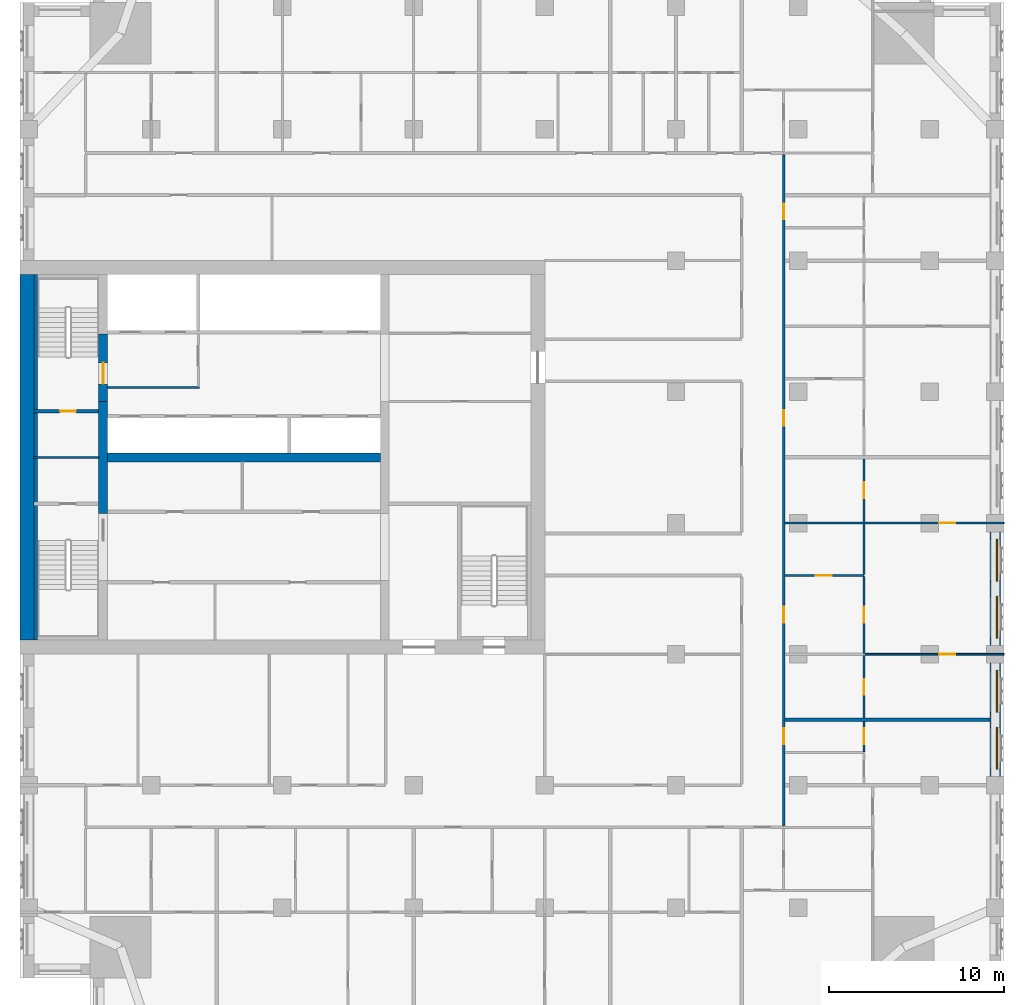
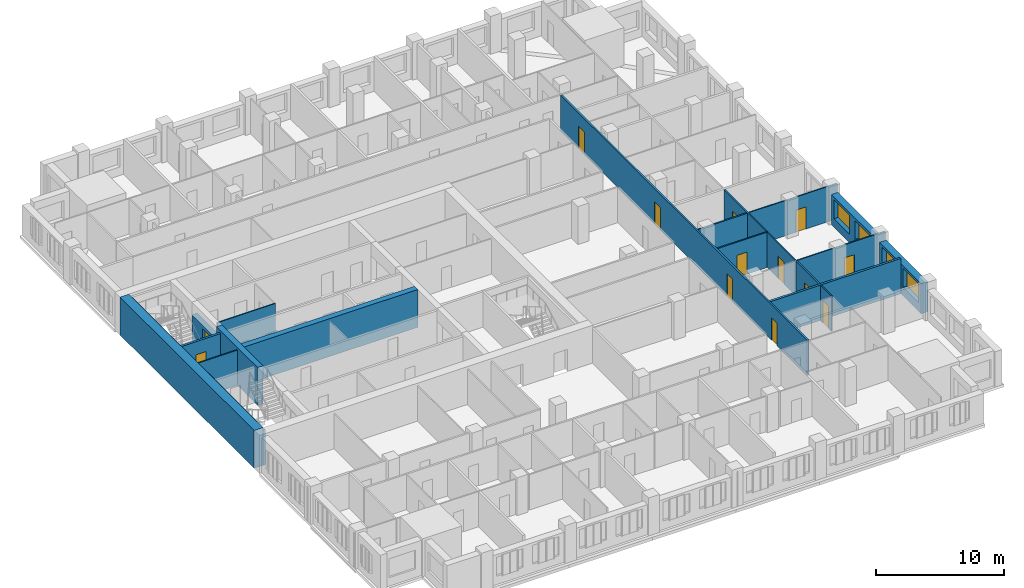
# One storey, part 7 of 14: 20 walls, 13 doors, 4 windows, 17 openings.
"""IFC4 building model written with IfcOpenShell, lengths in metres."""

from ifc_helpers import new_model, si_unit, direction, frame, frame_2d, origin, place, context, subcontext, project, spatial, rectangle, extrude, material, layer, layer_set, type_object, element, fill, save


model = new_model("IFC4")

# Units and contexts
model_context = context("Model", 3, precision=1e-05, world=origin(), true_north=direction((0.0, 1.0)))
body_context = subcontext(model_context, "Body", "Model", "MODEL_VIEW")
ifc_project = project(units=[si_unit("LENGTHUNIT", "METRE"), si_unit("AREAUNIT", "SQUARE_METRE"), si_unit("VOLUMEUNIT", "CUBIC_METRE"), si_unit("PLANEANGLEUNIT", "RADIAN"), si_unit("MASSUNIT", "GRAM", prefix="KILO")], contexts=[model_context])

# Site, building, storey
site_placement = place(None, origin())
site = spatial("IfcSite", under=ifc_project, at=site_placement, CompositionType="ELEMENT")
building_placement = place(site_placement, origin())
building = spatial("IfcBuilding", under=site, at=building_placement, Name="Tamorin Gate", CompositionType="ELEMENT")
storey_placement = place(building_placement, frame((0.0, 0.0, 137.39990234375)))
storey = spatial("IfcBuildingStorey", under=building, at=storey_placement, Name="L33", CompositionType="ELEMENT", Elevation=137.39990234375)

# Wall, openings, windows
ifc_material_1 = material(Name="Precast concrete C40/50", Category="concrete")
ifc_layer_1 = layer(ifc_material_1, 0.60009765625)
ifc_layer_set_1 = layer_set([ifc_layer_1], Name="Precast concrete C40/50")
wall_type_1 = type_object("IfcWallType", Name="Board-marked concrete facade panel 600", PredefinedType="SOLIDWALL", material=ifc_layer_set_1)
wall_1_placement = place(storey_placement, frame((85.75, 53.0, 0.0), z_axis=(0.0, 0.0, 1.0), x_axis=(0.0, 1.0, 0.0)))
wall_1 = element("IfcWall", 1, at=wall_1_placement, inside=storey, type_object=wall_type_1, Name="Facade panel", PredefinedType="SOLIDWALL", context=body_context, shape_type="SweptSolid", body=[
    extrude(rectangle(XDim=6.5, YDim=0.60009765625, at=frame_2d((3.25, 0.0))), origin(), (0.0, 0.0, 1.0), 2.85009765625),
])
opening_1_placement = place(wall_1_placement, frame((0.425048828125, 0.0, 0.800048828125)))
opening_1 = element("IfcOpeningElement", 2, at=opening_1_placement, cuts=wall_1, Name="Opening WN1", PredefinedType="OPENING", context=body_context, shape_type="SweptSolid", body=[
    extrude(rectangle(XDim=2.39990234375, YDim=1.800048828125, at=frame_2d((1.199951171875, 0.89990234375))), frame((0.0, 0.31005859375, 0.0), z_axis=(0.0, -1.0, 0.0), x_axis=(1.0, 0.0, 0.0)), (0.0, 0.0, 1.0), 0.6201171875),
])
opening_2_placement = place(wall_1_placement, frame((3.675048828125, 0.0, 0.800048828125)))
opening_2 = element("IfcOpeningElement", 3, at=opening_2_placement, cuts=wall_1, Name="Opening WN1", PredefinedType="OPENING", context=body_context, shape_type="SweptSolid", body=[
    extrude(rectangle(XDim=2.39990234375, YDim=1.800048828125, at=frame_2d((1.199951171875, 0.89990234375))), frame((0.0, 0.31005859375, 0.0), z_axis=(0.0, -1.0, 0.0), x_axis=(1.0, 0.0, 0.0)), (0.0, 0.0, 1.0), 0.6201171875),
])
ifc_material_2 = material(Name="Clear glass in aluminium frame", Category="aluminium")
window_type = type_object("IfcWindowType", Name="Deep-set window 2400x1800", PartitioningType="SINGLE_PANEL", PredefinedType="WINDOW", material=ifc_material_2)
window_1_placement = place(opening_1_placement, origin())
window_1 = element("IfcWindow", 4, at=window_1_placement, inside=storey, type_object=window_type, Name="Deep-set window", OverallHeight=1.800048828125, OverallWidth=2.39990234375, PartitioningType="SINGLE_PANEL", PredefinedType="WINDOW", context=body_context, shape_type="SweptSolid", body=[
    extrude(rectangle(XDim=2.39990234375, YDim=1.800048828125, at=frame_2d((1.199951171875, 0.89990234375))), frame((0.0, -0.070068359375, 0.0), z_axis=(0.0, -1.0, 0.0), x_axis=(1.0, 0.0, 0.0)), (0.0, 0.0, 1.0), 0.06005859375),
])
fill(opening_1, window_1)
window_2_placement = place(opening_2_placement, origin())
window_2 = element("IfcWindow", 5, at=window_2_placement, inside=storey, type_object=window_type, Name="Deep-set window", OverallHeight=1.800048828125, OverallWidth=2.39990234375, PartitioningType="SINGLE_PANEL", PredefinedType="WINDOW", context=body_context, shape_type="SweptSolid", body=[
    extrude(rectangle(XDim=2.39990234375, YDim=1.800048828125, at=frame_2d((1.199951171875, 0.89990234375))), frame((0.0, -0.070068359375, 0.0), z_axis=(0.0, -1.0, 0.0), x_axis=(1.0, 0.0, 0.0)), (0.0, 0.0, 1.0), 0.06005859375),
])
fill(opening_2, window_2)

wall_2_placement = place(storey_placement, frame((85.75, 60.5, 0.0), z_axis=(0.0, 0.0, 1.0), x_axis=(0.0, 1.0, 0.0)))
wall_2 = element("IfcWall", 6, at=wall_2_placement, inside=storey, type_object=wall_type_1, Name="Facade panel", PredefinedType="SOLIDWALL", context=body_context, shape_type="SweptSolid", body=[
    extrude(rectangle(XDim=6.5, YDim=0.60009765625, at=frame_2d((3.25, 0.0))), origin(), (0.0, 0.0, 1.0), 2.85009765625),
])
opening_3_placement = place(wall_2_placement, frame((0.425048828125, 0.0, 0.800048828125)))
opening_3 = element("IfcOpeningElement", 7, at=opening_3_placement, cuts=wall_2, Name="Opening WN1", PredefinedType="OPENING", context=body_context, shape_type="SweptSolid", body=[
    extrude(rectangle(XDim=2.39990234375, YDim=1.800048828125, at=frame_2d((1.199951171875, 0.89990234375))), frame((0.0, 0.31005859375, 0.0), z_axis=(0.0, -1.0, 0.0), x_axis=(1.0, 0.0, 0.0)), (0.0, 0.0, 1.0), 0.6201171875),
])
opening_4_placement = place(wall_2_placement, frame((3.675048828125, 0.0, 0.800048828125)))
opening_4 = element("IfcOpeningElement", 8, at=opening_4_placement, cuts=wall_2, Name="Opening WN1", PredefinedType="OPENING", context=body_context, shape_type="SweptSolid", body=[
    extrude(rectangle(XDim=2.39990234375, YDim=1.800048828125, at=frame_2d((1.199951171875, 0.89990234375))), frame((0.0, 0.31005859375, 0.0), z_axis=(0.0, -1.0, 0.0), x_axis=(1.0, 0.0, 0.0)), (0.0, 0.0, 1.0), 0.6201171875),
])
window_3_placement = place(opening_3_placement, origin())
window_3 = element("IfcWindow", 9, at=window_3_placement, inside=storey, type_object=window_type, Name="Deep-set window", OverallHeight=1.800048828125, OverallWidth=2.39990234375, PartitioningType="SINGLE_PANEL", PredefinedType="WINDOW", context=body_context, shape_type="SweptSolid", body=[
    extrude(rectangle(XDim=2.39990234375, YDim=1.800048828125, at=frame_2d((1.199951171875, 0.89990234375))), frame((0.0, -0.070068359375, 0.0), z_axis=(0.0, -1.0, 0.0), x_axis=(1.0, 0.0, 0.0)), (0.0, 0.0, 1.0), 0.06005859375),
])
fill(opening_3, window_3)
window_4_placement = place(opening_4_placement, origin())
window_4 = element("IfcWindow", 10, at=window_4_placement, inside=storey, type_object=window_type, Name="Deep-set window", OverallHeight=1.800048828125, OverallWidth=2.39990234375, PartitioningType="SINGLE_PANEL", PredefinedType="WINDOW", context=body_context, shape_type="SweptSolid", body=[
    extrude(rectangle(XDim=2.39990234375, YDim=1.800048828125, at=frame_2d((1.199951171875, 0.89990234375))), frame((0.0, -0.070068359375, 0.0), z_axis=(0.0, -1.0, 0.0), x_axis=(1.0, 0.0, 0.0)), (0.0, 0.0, 1.0), 0.06005859375),
])
fill(opening_4, window_4)

# Wall, openings, doors
ifc_material_3 = material(Name="Gypsum board partition")
ifc_layer_2 = layer(ifc_material_3, 0.14990234375)
ifc_layer_set_2 = layer_set([ifc_layer_2], Name="Corridor wall 150")
wall_type_2 = type_object("IfcWallType", Name="Corridor wall 150", PredefinedType="PARTITIONING", material=ifc_layer_set_2)
wall_3_placement = place(storey_placement, frame((73.64990234375, 50.175048828125, 0.0), z_axis=(0.0, 0.0, 1.0), x_axis=(0.0, 1.0, 0.0)))
wall_3 = element("IfcWall", 11, at=wall_3_placement, inside=storey, type_object=wall_type_2, Name="Corridor wall 150", PredefinedType="PARTITIONING", context=body_context, shape_type="SweptSolid", body=[
    extrude(rectangle(XDim=38.39990234375, YDim=0.14990234375, at=frame_2d((19.199951171875, 0.0))), origin(), (0.0, 0.0, 1.0), 3.35009765625),
])
opening_5_placement = place(wall_3_placement, frame((4.6875, 0.0, 0.0)))
opening_5 = element("IfcOpeningElement", 12, at=opening_5_placement, cuts=wall_3, Name="Opening DS3039", PredefinedType="OPENING", context=body_context, shape_type="SweptSolid", body=[
    extrude(rectangle(XDim=0.89990234375, YDim=2.10009765625, at=frame_2d((0.449951171875, 1.050048828125))), frame((0.0, 0.0849609375, 0.0), z_axis=(0.0, -1.0, 0.0), x_axis=(1.0, 0.0, 0.0)), (0.0, 0.0, 1.0), 0.169921875),
])
opening_6_placement = place(wall_3_placement, frame((11.625, 0.0, 0.0)))
opening_6 = element("IfcOpeningElement", 13, at=opening_6_placement, cuts=wall_3, Name="Opening DS3042", PredefinedType="OPENING", context=body_context, shape_type="SweptSolid", body=[
    extrude(rectangle(XDim=0.89990234375, YDim=2.10009765625, at=frame_2d((0.449951171875, 1.050048828125))), frame((0.0, 0.0849609375, 0.0), z_axis=(0.0, -1.0, 0.0), x_axis=(1.0, 0.0, 0.0)), (0.0, 0.0, 1.0), 0.169921875),
])
opening_7_placement = place(wall_3_placement, frame((22.875, 0.0, 0.0)))
opening_7 = element("IfcOpeningElement", 14, at=opening_7_placement, cuts=wall_3, Name="Opening DS3048", PredefinedType="OPENING", context=body_context, shape_type="SweptSolid", body=[
    extrude(rectangle(XDim=0.89990234375, YDim=2.10009765625, at=frame_2d((0.449951171875, 1.050048828125))), frame((0.0, 0.0849609375, 0.0), z_axis=(0.0, -1.0, 0.0), x_axis=(1.0, 0.0, 0.0)), (0.0, 0.0, 1.0), 0.169921875),
])
opening_8_placement = place(wall_3_placement, frame((34.6875, 0.0, 0.0)))
opening_8 = element("IfcOpeningElement", 15, at=opening_8_placement, cuts=wall_3, Name="Opening DS3054", PredefinedType="OPENING", context=body_context, shape_type="SweptSolid", body=[
    extrude(rectangle(XDim=0.89990234375, YDim=2.10009765625, at=frame_2d((0.449951171875, 1.050048828125))), frame((0.0, 0.0849609375, 0.0), z_axis=(0.0, -1.0, 0.0), x_axis=(1.0, 0.0, 0.0)), (0.0, 0.0, 1.0), 0.169921875),
])
ifc_material_4 = material(Name="Timber door leaf", Category="wood")
door_type_1 = type_object("IfcDoorType", Name="Door 900 x 2100 FD30S", OperationType="NOTDEFINED", PredefinedType="DOOR", material=ifc_material_4)
door_1_placement = place(opening_5_placement, origin())
door_1 = element("IfcDoor", 16, at=door_1_placement, inside=storey, type_object=door_type_1, Name="Door DS3039", OperationType="SINGLE_SWING_RIGHT", OverallHeight=2.10009765625, OverallWidth=0.89990234375, PredefinedType="DOOR", context=body_context, shape_type="SweptSolid", body=[
    extrude(rectangle(XDim=0.89990234375, YDim=2.10009765625, at=frame_2d((0.449951171875, 1.050048828125))), frame((0.0, 0.02490234375, 0.0), z_axis=(0.0, -1.0, 0.0), x_axis=(1.0, 0.0, 0.0)), (0.0, 0.0, 1.0), 0.050048828125),
])
fill(opening_5, door_1)
door_2_placement = place(opening_6_placement, origin())
door_2 = element("IfcDoor", 17, at=door_2_placement, inside=storey, type_object=door_type_1, Name="Door DS3042", OperationType="SINGLE_SWING_RIGHT", OverallHeight=2.10009765625, OverallWidth=0.89990234375, PredefinedType="DOOR", context=body_context, shape_type="SweptSolid", body=[
    extrude(rectangle(XDim=0.89990234375, YDim=2.10009765625, at=frame_2d((0.449951171875, 1.050048828125))), frame((0.0, 0.02490234375, 0.0), z_axis=(0.0, -1.0, 0.0), x_axis=(1.0, 0.0, 0.0)), (0.0, 0.0, 1.0), 0.050048828125),
])
fill(opening_6, door_2)
door_3_placement = place(opening_7_placement, origin())
door_3 = element("IfcDoor", 18, at=door_3_placement, inside=storey, type_object=door_type_1, Name="Door DS3048", OperationType="SINGLE_SWING_RIGHT", OverallHeight=2.10009765625, OverallWidth=0.89990234375, PredefinedType="DOOR", context=body_context, shape_type="SweptSolid", body=[
    extrude(rectangle(XDim=0.89990234375, YDim=2.10009765625, at=frame_2d((0.449951171875, 1.050048828125))), frame((0.0, 0.02490234375, 0.0), z_axis=(0.0, -1.0, 0.0), x_axis=(1.0, 0.0, 0.0)), (0.0, 0.0, 1.0), 0.050048828125),
])
fill(opening_7, door_3)
door_4_placement = place(opening_8_placement, origin())
door_4 = element("IfcDoor", 19, at=door_4_placement, inside=storey, type_object=door_type_1, Name="Door DS3054", OperationType="SINGLE_SWING_RIGHT", OverallHeight=2.10009765625, OverallWidth=0.89990234375, PredefinedType="DOOR", context=body_context, shape_type="SweptSolid", body=[
    extrude(rectangle(XDim=0.89990234375, YDim=2.10009765625, at=frame_2d((0.449951171875, 1.050048828125))), frame((0.0, 0.02490234375, 0.0), z_axis=(0.0, -1.0, 0.0), x_axis=(1.0, 0.0, 0.0)), (0.0, 0.0, 1.0), 0.050048828125),
])
fill(opening_8, door_4)

# Walls
ifc_layer_3 = layer(ifc_material_3, 0.199951171875)
ifc_layer_set_3 = layer_set([ifc_layer_3], Name="Demising wall 200")
wall_type_3 = type_object("IfcWallType", Name="Demising wall 200", PredefinedType="PARTITIONING", material=ifc_layer_set_3)
wall_4_placement = place(storey_placement, frame((73.72509765625, 56.25, 0.0), z_axis=(0.0, 0.0, 1.0), x_axis=(1.0, 0.0, 0.0)))
element("IfcWall", 20, at=wall_4_placement, inside=storey, type_object=wall_type_3, Name="Demising wall 200", PredefinedType="PARTITIONING", context=body_context, shape_type="SweptSolid", body=[
    extrude(rectangle(XDim=11.71484375, YDim=0.199951171875, at=frame_2d((5.857421875, 0.0))), origin(), (0.0, 0.0, 1.0), 3.35009765625),
])
ifc_material_5 = material(Name="Fire-rated gypsum board partition")
ifc_layer_4 = layer(ifc_material_5, 0.10009765625)
ifc_layer_set_4 = layer_set([ifc_layer_4], Name="Lobby wall 100 EI 60")
wall_type_4 = type_object("IfcWallType", Name="Lobby wall 100 EI 60", PredefinedType="PARTITIONING", material=ifc_layer_set_4)
wall_5_placement = place(storey_placement, frame((35.0, 75.25, 0.0), z_axis=(0.0, 0.0, 1.0), x_axis=(1.0, 0.0, 0.0)))
element("IfcWall", 21, at=wall_5_placement, inside=storey, type_object=wall_type_4, Name="Firefighting lobby wall", PredefinedType="PARTITIONING", context=body_context, shape_type="SweptSolid", body=[
    extrude(rectangle(XDim=5.25, YDim=0.10009765625, at=frame_2d((2.625, 0.0))), origin(), (0.0, 0.0, 1.0), 3.35009765625),
])
ifc_material_6 = material(Name="Concrete C60/75", Category="concrete")
ifc_layer_5 = layer(ifc_material_6, 0.5)
ifc_layer_set_5 = layer_set([ifc_layer_5], Name="RC core internal wall 500 C60/75")
wall_type_5 = type_object("IfcWallType", Name="RC core internal wall 500 C60/75", PredefinedType="SHEAR", material=ifc_layer_set_5)
wall_6_placement = place(storey_placement, frame((35.0, 71.25, 0.0), z_axis=(0.0, 0.0, 1.0), x_axis=(1.0, 0.0, 0.0)))
element("IfcWall", 22, at=wall_6_placement, inside=storey, type_object=wall_type_5, Name="Core spine wall L33", PredefinedType="SHEAR", context=body_context, shape_type="SweptSolid", body=[
    extrude(rectangle(XDim=15.60009765625, YDim=0.5, at=frame_2d((7.800048828125, 0.0))), origin(), (0.0, 0.0, 1.0), 3.60009765625),
])
wall_7_placement = place(storey_placement, frame((34.75, 68.050048828125, 0.0), z_axis=(0.0, 0.0, 1.0), x_axis=(0.0, 1.0, 0.0)))
element("IfcWall", 23, at=wall_7_placement, inside=storey, type_object=wall_type_5, Name="Core cross wall L33", PredefinedType="SHEAR", context=body_context, shape_type="SweptSolid", body=[
    extrude(rectangle(XDim=6.39990234375, YDim=0.5, at=frame_2d((3.199951171875, 0.0))), origin(), (0.0, 0.0, 1.0), 3.60009765625),
])
ifc_layer_6 = layer(ifc_material_6, 0.800048828125)
ifc_layer_set_6 = layer_set([ifc_layer_6], Name="RC core wall 800 C60/75")
wall_type_6 = type_object("IfcWallType", Name="RC core wall 800 C60/75", PredefinedType="SHEAR", material=ifc_layer_set_6)
wall_8_placement = place(storey_placement, frame((30.39990234375, 60.800048828125, 0.0), z_axis=(0.0, 0.0, 1.0), x_axis=(0.0, 1.0, 0.0)))
element("IfcWall", 24, at=wall_8_placement, inside=storey, type_object=wall_type_6, Name="Core wall L33", PredefinedType="SHEAR", context=body_context, shape_type="SweptSolid", body=[
    extrude(rectangle(XDim=20.89990234375, YDim=0.800048828125, at=frame_2d((10.449951171875, 0.0))), origin(), (0.0, 0.0, 1.0), 3.60009765625),
])
ifc_layer_7 = layer(ifc_material_5, 0.10009765625)
ifc_layer_set_7 = layer_set([ifc_layer_7], Name="Riser partition 100 EI 120")
wall_type_7 = type_object("IfcWallType", Name="Riser partition 100 EI 120", PredefinedType="PARTITIONING", material=ifc_layer_set_7)
wall_9_placement = place(storey_placement, frame((30.800048828125, 71.25, 0.0), z_axis=(0.0, 0.0, 1.0), x_axis=(1.0, 0.0, 0.0)))
element("IfcWall", 25, at=wall_9_placement, inside=storey, type_object=wall_type_7, Name="Riser partition", PredefinedType="PARTITIONING", context=body_context, shape_type="SweptSolid", body=[
    extrude(rectangle(XDim=3.699951171875, YDim=0.10009765625, at=frame_2d((1.85009765625, 0.0))), origin(), (0.0, 0.0, 1.0), 3.35009765625),
])

# Wall, opening, door
ifc_layer_8 = layer(ifc_material_3, 0.10009765625)
ifc_layer_set_8 = layer_set([ifc_layer_8], Name="Room partition 100")
wall_type_8 = type_object("IfcWallType", Name="Room partition 100", PredefinedType="PARTITIONING", material=ifc_layer_set_8)
wall_10_placement = place(storey_placement, frame((78.3125, 60.0, 0.0), z_axis=(0.0, 0.0, 1.0), x_axis=(1.0, 0.0, 0.0)))
wall_10 = element("IfcWall", 26, at=wall_10_placement, inside=storey, type_object=wall_type_8, Name="Room partition 100", PredefinedType="PARTITIONING", context=body_context, shape_type="SweptSolid", body=[
    extrude(rectangle(XDim=7.9375, YDim=0.10009765625, at=frame_2d((3.96875, 0.0))), origin(), (0.0, 0.0, 1.0), 3.35009765625),
])
opening_9_placement = place(wall_10_placement, frame((4.237548828125, 0.0, 0.0)))
opening_9 = element("IfcOpeningElement", 27, at=opening_9_placement, cuts=wall_10, Name="Opening DS3046", PredefinedType="OPENING", context=body_context, shape_type="SweptSolid", body=[
    extrude(rectangle(XDim=0.89990234375, YDim=2.10009765625, at=frame_2d((0.449951171875, 1.050048828125))), frame((0.0, 0.06005859375, 0.0), z_axis=(0.0, -1.0, 0.0), x_axis=(1.0, 0.0, 0.0)), (0.0, 0.0, 1.0), 0.1201171875),
])
door_type_2 = type_object("IfcDoorType", Name="Door 900 x 2100", OperationType="NOTDEFINED", PredefinedType="DOOR", material=ifc_material_4)
door_5_placement = place(opening_9_placement, origin())
door_5 = element("IfcDoor", 28, at=door_5_placement, inside=storey, type_object=door_type_2, Name="Door DS3046", OperationType="SINGLE_SWING_LEFT", OverallHeight=2.10009765625, OverallWidth=0.89990234375, PredefinedType="DOOR", context=body_context, shape_type="SweptSolid", body=[
    extrude(rectangle(XDim=0.89990234375, YDim=2.10009765625, at=frame_2d((0.449951171875, 1.050048828125))), frame((0.0, 0.02490234375, 0.0), z_axis=(0.0, -1.0, 0.0), x_axis=(1.0, 0.0, 0.0)), (0.0, 0.0, 1.0), 0.050048828125),
])
fill(opening_9, door_5)

wall_11_placement = place(storey_placement, frame((78.3125, 67.5, 0.0), z_axis=(0.0, 0.0, 1.0), x_axis=(1.0, 0.0, 0.0)))
wall_11 = element("IfcWall", 29, at=wall_11_placement, inside=storey, type_object=wall_type_8, Name="Room partition 100", PredefinedType="PARTITIONING", context=body_context, shape_type="SweptSolid", body=[
    extrude(rectangle(XDim=7.9375, YDim=0.10009765625, at=frame_2d((3.96875, 0.0))), origin(), (0.0, 0.0, 1.0), 3.35009765625),
])
opening_10_placement = place(wall_11_placement, frame((4.237548828125, 0.0, 0.0)))
opening_10 = element("IfcOpeningElement", 30, at=opening_10_placement, cuts=wall_11, Name="Opening DS3047", PredefinedType="OPENING", context=body_context, shape_type="SweptSolid", body=[
    extrude(rectangle(XDim=0.89990234375, YDim=2.10009765625, at=frame_2d((0.449951171875, 1.050048828125))), frame((0.0, 0.06005859375, 0.0), z_axis=(0.0, -1.0, 0.0), x_axis=(1.0, 0.0, 0.0)), (0.0, 0.0, 1.0), 0.1201171875),
])
door_6_placement = place(opening_10_placement, origin())
door_6 = element("IfcDoor", 31, at=door_6_placement, inside=storey, type_object=door_type_2, Name="Door DS3047", OperationType="SINGLE_SWING_LEFT", OverallHeight=2.10009765625, OverallWidth=0.89990234375, PredefinedType="DOOR", context=body_context, shape_type="SweptSolid", body=[
    extrude(rectangle(XDim=0.89990234375, YDim=2.10009765625, at=frame_2d((0.449951171875, 1.050048828125))), frame((0.0, 0.02490234375, 0.0), z_axis=(0.0, -1.0, 0.0), x_axis=(1.0, 0.0, 0.0)), (0.0, 0.0, 1.0), 0.050048828125),
])
fill(opening_10, door_6)

wall_12_placement = place(storey_placement, frame((78.25, 54.4375, 0.0), z_axis=(0.0, 0.0, 1.0), x_axis=(0.0, 1.0, 0.0)))
wall_12 = element("IfcWall", 32, at=wall_12_placement, inside=storey, type_object=wall_type_8, Name="Room partition 100", PredefinedType="PARTITIONING", context=body_context, shape_type="SweptSolid", body=[
    extrude(rectangle(XDim=1.71240234375, YDim=0.10009765625, at=frame_2d((0.856201171875, 0.0))), origin(), (0.0, 0.0, 1.0), 3.35009765625),
])
opening_11_placement = place(wall_12_placement, frame((0.425048828125, 0.0, 0.0)))
opening_11 = element("IfcOpeningElement", 33, at=opening_11_placement, cuts=wall_12, Name="Opening DS3040", PredefinedType="OPENING", context=body_context, shape_type="SweptSolid", body=[
    extrude(rectangle(XDim=0.89990234375, YDim=2.10009765625, at=frame_2d((0.449951171875, 1.050048828125))), frame((0.0, 0.06005859375, 0.0), z_axis=(0.0, -1.0, 0.0), x_axis=(1.0, 0.0, 0.0)), (0.0, 0.0, 1.0), 0.1201171875),
])
door_7_placement = place(opening_11_placement, origin())
door_7 = element("IfcDoor", 34, at=door_7_placement, inside=storey, type_object=door_type_2, Name="Door DS3040", OperationType="SINGLE_SWING_LEFT", OverallHeight=2.10009765625, OverallWidth=0.89990234375, PredefinedType="DOOR", context=body_context, shape_type="SweptSolid", body=[
    extrude(rectangle(XDim=0.89990234375, YDim=2.10009765625, at=frame_2d((0.449951171875, 1.050048828125))), frame((0.0, 0.02490234375, 0.0), z_axis=(0.0, -1.0, 0.0), x_axis=(1.0, 0.0, 0.0)), (0.0, 0.0, 1.0), 0.050048828125),
])
fill(opening_11, door_7)

wall_13_placement = place(storey_placement, frame((78.25, 60.0625, 0.0), z_axis=(0.0, 0.0, 1.0), x_axis=(0.0, 1.0, 0.0)))
wall_13 = element("IfcWall", 35, at=wall_13_placement, inside=storey, type_object=wall_type_8, Name="Room partition 100", PredefinedType="PARTITIONING", context=body_context, shape_type="SweptSolid", body=[
    extrude(rectangle(XDim=4.375, YDim=0.10009765625, at=frame_2d((2.1875, 0.0))), origin(), (0.0, 0.0, 1.0), 3.35009765625),
])
opening_12_placement = place(wall_13_placement, frame((1.737548828125, 0.0, 0.0)))
opening_12 = element("IfcOpeningElement", 36, at=opening_12_placement, cuts=wall_13, Name="Opening DS3043", PredefinedType="OPENING", context=body_context, shape_type="SweptSolid", body=[
    extrude(rectangle(XDim=0.89990234375, YDim=2.10009765625, at=frame_2d((0.449951171875, 1.050048828125))), frame((0.0, 0.06005859375, 0.0), z_axis=(0.0, -1.0, 0.0), x_axis=(1.0, 0.0, 0.0)), (0.0, 0.0, 1.0), 0.1201171875),
])
door_8_placement = place(opening_12_placement, origin())
door_8 = element("IfcDoor", 37, at=door_8_placement, inside=storey, type_object=door_type_2, Name="Door DS3043", OperationType="SINGLE_SWING_LEFT", OverallHeight=2.10009765625, OverallWidth=0.89990234375, PredefinedType="DOOR", context=body_context, shape_type="SweptSolid", body=[
    extrude(rectangle(XDim=0.89990234375, YDim=2.10009765625, at=frame_2d((0.449951171875, 1.050048828125))), frame((0.0, 0.02490234375, 0.0), z_axis=(0.0, -1.0, 0.0), x_axis=(1.0, 0.0, 0.0)), (0.0, 0.0, 1.0), 0.050048828125),
])
fill(opening_12, door_8)

ifc_material_7 = material(Name="Concrete C40/50", Category="concrete")
ifc_layer_9 = layer(ifc_material_7, 0.199951171875)
ifc_layer_set_9 = layer_set([ifc_layer_9], Name="Stair enclosure wall 200 EI 120 C40/50")
wall_type_9 = type_object("IfcWallType", Name="Stair enclosure wall 200 EI 120 C40/50", PredefinedType="SOLIDWALL", material=ifc_layer_set_9)
wall_14_placement = place(storey_placement, frame((30.800048828125, 73.89990234375, 0.0), z_axis=(0.0, 0.0, 1.0), x_axis=(1.0, 0.0, 0.0)))
wall_14 = element("IfcWall", 38, at=wall_14_placement, inside=storey, type_object=wall_type_9, Name="Stair enclosure wall", PredefinedType="SOLIDWALL", context=body_context, shape_type="SweptSolid", body=[
    extrude(rectangle(XDim=3.699951171875, YDim=0.199951171875, at=frame_2d((1.85009765625, 0.0))), origin(), (0.0, 0.0, 1.0), 3.35009765625),
])
opening_13_placement = place(wall_14_placement, frame((1.5, 0.0, 0.0)))
opening_13 = element("IfcOpeningElement", 39, at=opening_13_placement, cuts=wall_14, Name="Opening DR1", PredefinedType="OPENING", context=body_context, shape_type="SweptSolid", body=[
    extrude(rectangle(XDim=0.89990234375, YDim=2.10009765625, at=frame_2d((0.449951171875, 1.050048828125))), frame((0.0, 0.10986328125, 0.0), z_axis=(0.0, -1.0, 0.0), x_axis=(1.0, 0.0, 0.0)), (0.0, 0.0, 1.0), 0.219970703125),
])
ifc_material_8 = material(Name="Steel fire door", Category="steel")
door_type_3 = type_object("IfcDoorType", Name="Riser access door 900 x 2100 EI 120", OperationType="SINGLE_SWING_LEFT", PredefinedType="DOOR", material=ifc_material_8)
door_9_placement = place(opening_13_placement, origin())
door_9 = element("IfcDoor", 40, at=door_9_placement, inside=storey, type_object=door_type_3, Name="Communications riser door", OperationType="SINGLE_SWING_RIGHT", OverallHeight=2.10009765625, OverallWidth=0.89990234375, PredefinedType="DOOR", context=body_context, shape_type="SweptSolid", body=[
    extrude(rectangle(XDim=0.89990234375, YDim=2.10009765625, at=frame_2d((0.449951171875, 1.050048828125))), frame((0.0, 0.02490234375, 0.0), z_axis=(0.0, -1.0, 0.0), x_axis=(1.0, 0.0, 0.0)), (0.0, 0.0, 1.0), 0.050048828125),
])
fill(opening_13, door_9)

# Wall
ifc_layer_10 = layer(ifc_material_6, 0.199951171875)
ifc_layer_set_10 = layer_set([ifc_layer_10], Name="Stair lining wall 200 EI 120 C60/75")
wall_type_10 = type_object("IfcWallType", Name="Stair lining wall 200 EI 120 C60/75", PredefinedType="SOLIDWALL", material=ifc_layer_set_10)
wall_15_placement = place(storey_placement, frame((30.89990234375, 60.800048828125, 0.0), z_axis=(0.0, 0.0, 1.0), x_axis=(0.0, 1.0, 0.0)))
element("IfcWall", 41, at=wall_15_placement, inside=storey, type_object=wall_type_10, Name="Stair lining wall", PredefinedType="SOLIDWALL", context=body_context, shape_type="SweptSolid", body=[
    extrude(rectangle(XDim=20.89990234375, YDim=0.199951171875, at=frame_2d((10.449951171875, 0.0))), origin(), (0.0, 0.0, 1.0), 3.35009765625),
])

# Wall, opening, door
ifc_material_9 = material(Name="Concrete C32/40", Category="concrete")
ifc_layer_11 = layer(ifc_material_9, 0.5)
ifc_layer_set_11 = layer_set([ifc_layer_11], Name="Stair lobby infill wall 500 EI 120")
wall_type_11 = type_object("IfcWallType", Name="Stair lobby infill wall 500 EI 120", PredefinedType="SOLIDWALL", material=ifc_layer_set_11)
wall_16_placement = place(storey_placement, frame((34.75, 74.449951171875, 0.0), z_axis=(0.0, 0.0, 1.0), x_axis=(0.0, 1.0, 0.0)))
wall_16 = element("IfcWall", 42, at=wall_16_placement, inside=storey, type_object=wall_type_11, Name="Stair lobby infill wall", PredefinedType="SOLIDWALL", context=body_context, shape_type="SweptSolid", body=[
    extrude(rectangle(XDim=3.85009765625, YDim=0.5, at=frame_2d((1.925048828125, 0.0))), origin(), (0.0, 0.0, 1.0), 2.400146484375),
])
opening_14_placement = place(wall_16_placement, frame((1.0, 0.0, 0.0)))
opening_14 = element("IfcOpeningElement", 43, at=opening_14_placement, cuts=wall_16, Name="Opening DS1", PredefinedType="OPENING", context=body_context, shape_type="SweptSolid", body=[
    extrude(rectangle(XDim=1.199951171875, YDim=2.10009765625, at=frame_2d((0.60009765625, 1.050048828125))), frame((0.0, 0.260009765625, 0.0), z_axis=(0.0, -1.0, 0.0), x_axis=(1.0, 0.0, 0.0)), (0.0, 0.0, 1.0), 0.52001953125),
])
door_type_4 = type_object("IfcDoorType", Name="Stair door 1200 x 2100 EI 90", OperationType="SINGLE_SWING_LEFT", PredefinedType="DOOR", material=ifc_material_8)
door_10_placement = place(opening_14_placement, origin())
door_10 = element("IfcDoor", 44, at=door_10_placement, inside=storey, type_object=door_type_4, Name="ST2 door", OperationType="SINGLE_SWING_RIGHT", OverallHeight=2.10009765625, OverallWidth=1.199951171875, PredefinedType="DOOR", context=body_context, shape_type="SweptSolid", body=[
    extrude(rectangle(XDim=1.199951171875, YDim=2.10009765625, at=frame_2d((0.60009765625, 1.050048828125))), frame((0.0, 0.02490234375, 0.0), z_axis=(0.0, -1.0, 0.0), x_axis=(1.0, 0.0, 0.0)), (0.0, 0.0, 1.0), 0.050048828125),
])
fill(opening_14, door_10)

ifc_layer_12 = layer(ifc_material_3, 0.125)
ifc_layer_set_12 = layer_set([ifc_layer_12], Name="Wet wall 125")
wall_type_12 = type_object("IfcWallType", Name="Wet wall 125", PredefinedType="PARTITIONING", material=ifc_layer_set_12)
wall_17_placement = place(storey_placement, frame((73.72509765625, 64.5, 0.0), z_axis=(0.0, 0.0, 1.0), x_axis=(1.0, 0.0, 0.0)))
wall_17 = element("IfcWall", 45, at=wall_17_placement, inside=storey, type_object=wall_type_12, Name="Wet wall 125", PredefinedType="PARTITIONING", context=body_context, shape_type="SweptSolid", body=[
    extrude(rectangle(XDim=4.52490234375, YDim=0.125, at=frame_2d((2.262451171875, 0.0))), origin(), (0.0, 0.0, 1.0), 3.35009765625),
])
opening_15_placement = place(wall_17_placement, frame((1.77490234375, 0.0, 0.0)))
opening_15 = element("IfcOpeningElement", 46, at=opening_15_placement, cuts=wall_17, Name="Opening DS3044", PredefinedType="OPENING", context=body_context, shape_type="SweptSolid", body=[
    extrude(rectangle(XDim=0.89990234375, YDim=2.10009765625, at=frame_2d((0.449951171875, 1.050048828125))), frame((0.0, 0.072509765625, 0.0), z_axis=(0.0, -1.0, 0.0), x_axis=(1.0, 0.0, 0.0)), (0.0, 0.0, 1.0), 0.14501953125),
])
door_11_placement = place(opening_15_placement, origin())
door_11 = element("IfcDoor", 47, at=door_11_placement, inside=storey, type_object=door_type_2, Name="Door DS3044", OperationType="SINGLE_SWING_RIGHT", OverallHeight=2.10009765625, OverallWidth=0.89990234375, PredefinedType="DOOR", context=body_context, shape_type="SweptSolid", body=[
    extrude(rectangle(XDim=0.89990234375, YDim=2.10009765625, at=frame_2d((0.449951171875, 1.050048828125))), frame((0.0, 0.02490234375, 0.0), z_axis=(0.0, -1.0, 0.0), x_axis=(1.0, 0.0, 0.0)), (0.0, 0.0, 1.0), 0.050048828125),
])
fill(opening_15, door_11)

# Wall
wall_18_placement = place(storey_placement, frame((73.72509765625, 67.5, 0.0), z_axis=(0.0, 0.0, 1.0), x_axis=(1.0, 0.0, 0.0)))
element("IfcWall", 48, at=wall_18_placement, inside=storey, type_object=wall_type_12, Name="Wet wall 125", PredefinedType="PARTITIONING", context=body_context, shape_type="SweptSolid", body=[
    extrude(rectangle(XDim=4.46240234375, YDim=0.125, at=frame_2d((2.231201171875, 0.0))), origin(), (0.0, 0.0, 1.0), 3.35009765625),
])

# Wall, opening, door
wall_19_placement = place(storey_placement, frame((78.25, 56.35009765625, 0.0), z_axis=(0.0, 0.0, 1.0), x_axis=(0.0, 1.0, 0.0)))
wall_19 = element("IfcWall", 49, at=wall_19_placement, inside=storey, type_object=wall_type_12, Name="Wet wall 125", PredefinedType="PARTITIONING", context=body_context, shape_type="SweptSolid", body=[
    extrude(rectangle(XDim=3.58740234375, YDim=0.125, at=frame_2d((1.793701171875, 0.0))), origin(), (0.0, 0.0, 1.0), 3.35009765625),
])
opening_16_placement = place(wall_19_placement, frame((1.324951171875, 0.0, 0.0)))
opening_16 = element("IfcOpeningElement", 50, at=opening_16_placement, cuts=wall_19, Name="Opening DS3041", PredefinedType="OPENING", context=body_context, shape_type="SweptSolid", body=[
    extrude(rectangle(XDim=0.89990234375, YDim=2.10009765625, at=frame_2d((0.449951171875, 1.050048828125))), frame((0.0, 0.072509765625, 0.0), z_axis=(0.0, -1.0, 0.0), x_axis=(1.0, 0.0, 0.0)), (0.0, 0.0, 1.0), 0.14501953125),
])
door_12_placement = place(opening_16_placement, origin())
door_12 = element("IfcDoor", 51, at=door_12_placement, inside=storey, type_object=door_type_2, Name="Door DS3041", OperationType="SINGLE_SWING_LEFT", OverallHeight=2.10009765625, OverallWidth=0.89990234375, PredefinedType="DOOR", context=body_context, shape_type="SweptSolid", body=[
    extrude(rectangle(XDim=0.89990234375, YDim=2.10009765625, at=frame_2d((0.449951171875, 1.050048828125))), frame((0.0, 0.02490234375, 0.0), z_axis=(0.0, -1.0, 0.0), x_axis=(1.0, 0.0, 0.0)), (0.0, 0.0, 1.0), 0.050048828125),
])
fill(opening_16, door_12)

wall_20_placement = place(storey_placement, frame((78.25, 64.5625, 0.0), z_axis=(0.0, 0.0, 1.0), x_axis=(0.0, 1.0, 0.0)))
wall_20 = element("IfcWall", 52, at=wall_20_placement, inside=storey, type_object=wall_type_12, Name="Wet wall 125", PredefinedType="PARTITIONING", context=body_context, shape_type="SweptSolid", body=[
    extrude(rectangle(XDim=6.58740234375, YDim=0.125, at=frame_2d((3.293701171875, 0.0))), origin(), (0.0, 0.0, 1.0), 3.35009765625),
])
opening_17_placement = place(wall_20_placement, frame((4.362548828125, 0.0, 0.0)))
opening_17 = element("IfcOpeningElement", 53, at=opening_17_placement, cuts=wall_20, Name="Opening DS3045", PredefinedType="OPENING", context=body_context, shape_type="SweptSolid", body=[
    extrude(rectangle(XDim=0.89990234375, YDim=2.10009765625, at=frame_2d((0.449951171875, 1.050048828125))), frame((0.0, 0.072509765625, 0.0), z_axis=(0.0, -1.0, 0.0), x_axis=(1.0, 0.0, 0.0)), (0.0, 0.0, 1.0), 0.14501953125),
])
door_13_placement = place(opening_17_placement, origin())
door_13 = element("IfcDoor", 54, at=door_13_placement, inside=storey, type_object=door_type_2, Name="Door DS3045", OperationType="SINGLE_SWING_LEFT", OverallHeight=2.10009765625, OverallWidth=0.89990234375, PredefinedType="DOOR", context=body_context, shape_type="SweptSolid", body=[
    extrude(rectangle(XDim=0.89990234375, YDim=2.10009765625, at=frame_2d((0.449951171875, 1.050048828125))), frame((0.0, 0.02490234375, 0.0), z_axis=(0.0, -1.0, 0.0), x_axis=(1.0, 0.0, 0.0)), (0.0, 0.0, 1.0), 0.050048828125),
])
fill(opening_17, door_13)

save(model, "model.ifc")
